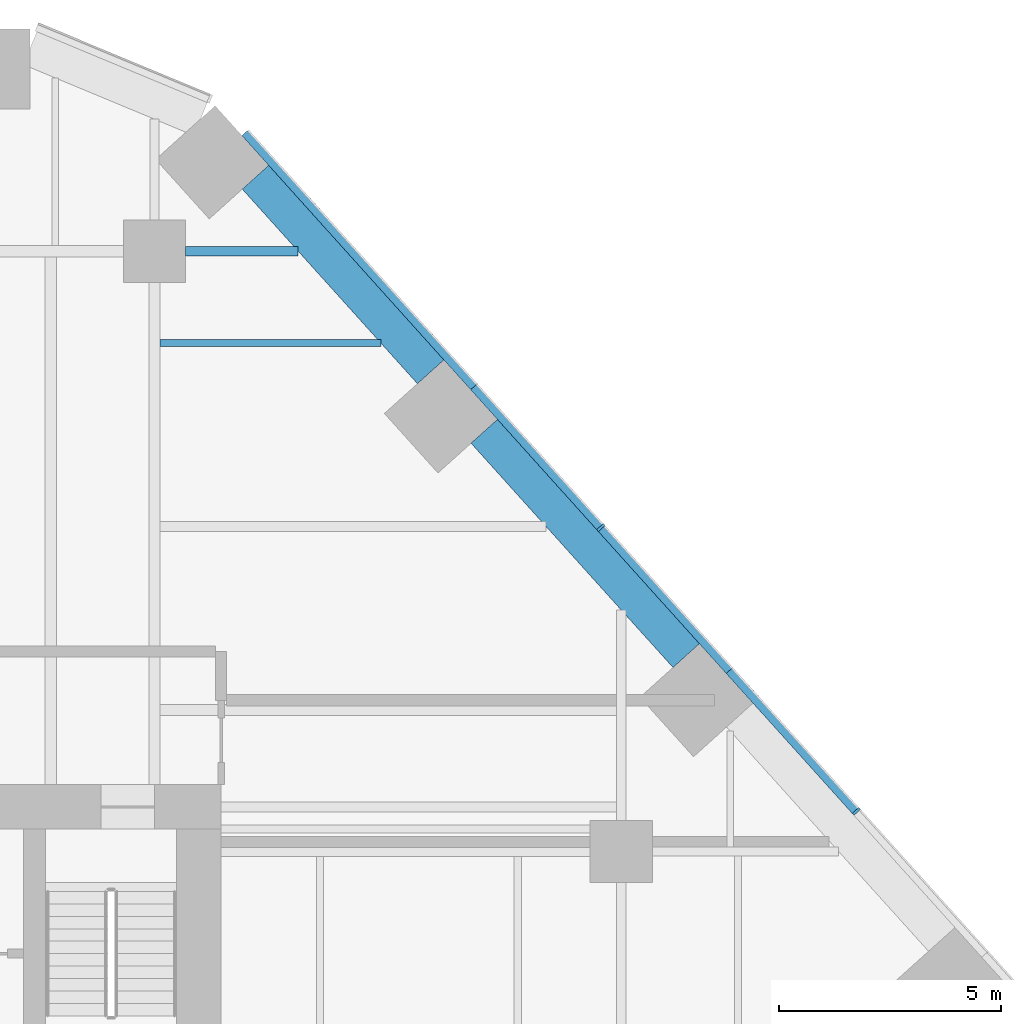
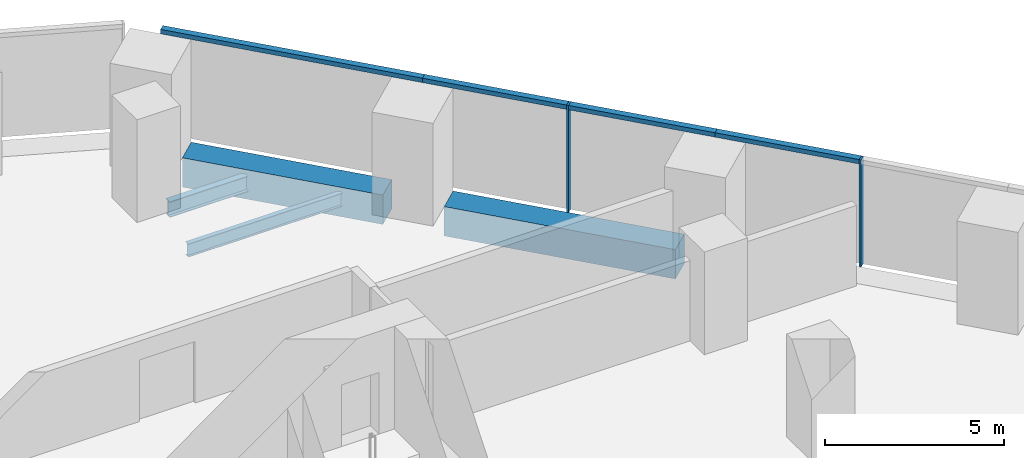
# One storey, part 10 of 20: 6 members, 4 beams, 1 element without a shape of its own.
"""IFC4 building model written with IfcOpenShell, lengths in metres."""

from ifc_helpers import new_model, si_unit, direction, frame, origin, origin_2d, place, context, subcontext, project, spatial, rectangle, i_section, extrude, material, layer, layer_set, material_profile, profile_set, type_object, element, aggregate, save


model = new_model("IFC4")

# Units and contexts
model_context = context("Model", 3, precision=1e-05, world=origin(), true_north=direction((0.0, 1.0)))
body_context = subcontext(model_context, "Body", "Model", "MODEL_VIEW")
ifc_project = project(units=[si_unit("LENGTHUNIT", "METRE"), si_unit("AREAUNIT", "SQUARE_METRE"), si_unit("VOLUMEUNIT", "CUBIC_METRE"), si_unit("PLANEANGLEUNIT", "RADIAN"), si_unit("MASSUNIT", "GRAM", prefix="KILO")], contexts=[model_context])

# Site, building, storey
site_placement = place(None, origin())
site = spatial("IfcSite", under=ifc_project, at=site_placement, CompositionType="ELEMENT")
building_placement = place(site_placement, origin())
building = spatial("IfcBuilding", under=site, at=building_placement, Name="Isthmus Gate Tower", CompositionType="ELEMENT")
storey_placement = place(building_placement, frame((0.0, 0.0, 61.550048828125)))
storey = spatial("IfcBuildingStorey", under=building, at=storey_placement, Name="L13", CompositionType="ELEMENT", Elevation=61.550048828125)

# Curtain wall, members
ifc_material_1 = material(Name="Aluminium, pale champagne anodised", Category="aluminium")
ifc_layer = layer(ifc_material_1, 0.199951171875)
ifc_layer_set = layer_set([ifc_layer], Name="CW-1 UNITISED CURTAIN WALL 200 DEEP")
curtain_wall_type = type_object("IfcCurtainWallType", Name="CW-1 UNITISED CURTAIN WALL 200 DEEP", PredefinedType="NOTDEFINED", material=ifc_layer_set)
curtain_wall_placement = place(storey_placement, origin())
curtain_wall = element("IfcCurtainWall", 1, at=curtain_wall_placement, inside=storey, type_object=curtain_wall_type, Name="CW-1 NE L13", PredefinedType="NOTDEFINED")
ifc_material_2 = material(Name="Aluminium, pale champagne anodised", Category="aluminium")
ifc_material_profile_1 = material_profile(ifc_material_2, rectangle(XDim=0.06005859375, YDim=0.199951171875, at=origin_2d()), Name="60x200")
ifc_profile_set_1 = profile_set([ifc_material_profile_1], Name="Aluminium, pale champagne anodised")
member_type_1 = type_object("IfcMemberType", Name="CW-1 MULLION 60 X 200", PredefinedType="MULLION", material=ifc_profile_set_1)
member_1_placement = place(storey_placement, frame((29.287841796875, 14.400146484375, 0.0), z_axis=(0.0, 0.0, 1.0), x_axis=(-0.669130606359, 0.743144825477, 0.0)))
member_1 = element("IfcMember", 2, at=member_1_placement, type_object=member_type_1, Name="CW-1 mullion", PredefinedType="MULLION", context=body_context, shape_type="SweptSolid", body=[
    extrude(rectangle(XDim=0.06005859375, YDim=0.199951171875, at=origin_2d()), origin(), (0.0, 0.0, 1.0), 3.64990234375),
])
member_2_placement = place(storey_placement, frame((23.54052734375, 20.783447265625, 0.0), z_axis=(0.0, 0.0, 1.0), x_axis=(-0.669130606359, 0.743144825477, 0.0)))
member_2 = element("IfcMember", 3, at=member_2_placement, type_object=member_type_1, Name="CW-1 mullion", PredefinedType="MULLION", context=body_context, shape_type="SweptSolid", body=[
    extrude(rectangle(XDim=0.06005859375, YDim=0.199951171875, at=origin_2d()), origin(), (0.0, 0.0, 1.0), 3.64990234375),
])
ifc_material_3 = material(Name="Aluminium, pale champagne anodised", Category="aluminium")
ifc_material_profile_2 = material_profile(ifc_material_3, rectangle(XDim=0.199951171875, YDim=0.14990234375, at=origin_2d()), Name="200x150")
ifc_profile_set_2 = profile_set([ifc_material_profile_2], Name="Aluminium, pale champagne anodised")
member_type_2 = type_object("IfcMemberType", Name="CW-1 TRANSOM 200 X 150", PredefinedType="USERDEFINED", material=ifc_profile_set_2)
member_3_placement = place(storey_placement, frame((29.267822265625, 14.422607421875, 3.574951171875), z_axis=(-0.669123979474, 0.743150792298, 0.0), x_axis=(-0.743150792298, -0.669123979474, 0.0)))
member_3 = element("IfcMember", 4, at=member_3_placement, type_object=member_type_2, Name="CW-1 transom", ObjectType="TRANSOM", PredefinedType="USERDEFINED", context=body_context, shape_type="SweptSolid", body=[
    extrude(rectangle(XDim=0.199951171875, YDim=0.14990234375, at=origin_2d()), origin(), (0.0, 0.0, 1.0), 4.234619140625),
])
member_4_placement = place(storey_placement, frame((26.434326171875, 17.569580078125, 3.574951171875), z_axis=(-0.669159437096, 0.743118865153, 0.0), x_axis=(-0.743118865153, -0.669159437096, 0.0)))
member_4 = element("IfcMember", 5, at=member_4_placement, type_object=member_type_2, Name="CW-1 transom", ObjectType="TRANSOM", PredefinedType="USERDEFINED", context=body_context, shape_type="SweptSolid", body=[
    extrude(rectangle(XDim=0.199951171875, YDim=0.14990234375, at=origin_2d()), origin(), (0.0, 0.0, 1.0), 4.294677734375),
])
member_5_placement = place(storey_placement, frame((23.520263671875, 20.8056640625, 3.574951171875), z_axis=(-0.669123979474, 0.743150792298, 0.0), x_axis=(-0.743150792298, -0.669123979474, 0.0)))
member_5 = element("IfcMember", 6, at=member_5_placement, type_object=member_type_2, Name="CW-1 transom", ObjectType="TRANSOM", PredefinedType="USERDEFINED", context=body_context, shape_type="SweptSolid", body=[
    extrude(rectangle(XDim=0.199951171875, YDim=0.14990234375, at=origin_2d()), origin(), (0.0, 0.0, 1.0), 4.234619140625),
])
member_6_placement = place(storey_placement, frame((20.686767578125, 23.95263671875, 3.574951171875), z_axis=(-0.669115577823, 0.743158356957, 0.0), x_axis=(-0.743158356957, -0.669115577823, 0.0)))
member_6 = element("IfcMember", 7, at=member_6_placement, type_object=member_type_2, Name="CW-1 transom", ObjectType="TRANSOM", PredefinedType="USERDEFINED", context=body_context, shape_type="SweptSolid", body=[
    extrude(rectangle(XDim=0.199951171875, YDim=0.14990234375, at=origin_2d()), origin(), (0.0, 0.0, 1.0), 7.689208984375),
])
aggregate(curtain_wall, [member_1, member_3, member_4, member_2, member_5, member_6])

# Beams
ifc_material_4 = material(Name="Concrete f'c 70 MPa", Category="concrete")
ifc_material_profile_3 = material_profile(ifc_material_4, rectangle(XDim=0.800048828125, YDim=1.0, at=origin_2d()), Name="RC 800X1000")
ifc_profile_set_3 = profile_set([ifc_material_profile_3], Name="Concrete f'c 70 MPa")
beam_type_1 = type_object("IfcBeamType", Name="RC SPANDREL 800 X 1000", PredefinedType="SPANDREL", material=ifc_profile_set_3)
beam_1_placement = place(storey_placement, frame((15.772216796875, 28.66357421875, -0.5), z_axis=(0.669141061586, -0.743135411415, 0.0), x_axis=(0.743135411415, 0.669141061586, 0.0)))
element("IfcBeam", 8, at=beam_1_placement, inside=storey, type_object=beam_type_1, Name="str-spandrel-L13-01", PredefinedType="SPANDREL", context=body_context, shape_type="SweptSolid", body=[
    extrude(rectangle(XDim=0.800048828125, YDim=1.0, at=origin_2d()), origin(), (0.0, 0.0, 1.0), 5.889404296875),
])
beam_2_placement = place(storey_placement, frame((20.91748046875, 22.94921875, -0.5), z_axis=(0.669135571547, -0.743140354772, 0.0), x_axis=(0.743140354772, 0.669135571547, 0.0)))
element("IfcBeam", 9, at=beam_2_placement, inside=storey, type_object=beam_type_1, Name="str-spandrel-L13-02", PredefinedType="SPANDREL", context=body_context, shape_type="SweptSolid", body=[
    extrude(rectangle(XDim=0.800048828125, YDim=1.0, at=origin_2d()), origin(), (0.0, 0.0, 1.0), 6.789306640625),
])
ifc_material_5 = material(Name="Structural steel ASTM A992 Gr 50", Category="steel")
ifc_material_profile_4 = material_profile(ifc_material_5, i_section(OverallWidth=0.15234375, OverallDepth=0.45068359375, WebThickness=0.0078125, FlangeThickness=0.010986328125, at=origin_2d()), Name="W18X35")
ifc_profile_set_4 = profile_set([ifc_material_profile_4], Name="Structural steel ASTM A992 Gr 50")
beam_type_2 = type_object("IfcBeamType", Name="STEEL FLOOR BEAM W18X35", PredefinedType="JOIST", material=ifc_profile_set_4)
beam_3_placement = place(storey_placement, frame((13.626953125, 24.935791015625, -0.37548828125), z_axis=(1.0, 0.0, 0.0), x_axis=(0.0, 1.0, 0.0)))
element("IfcBeam", 10, at=beam_3_placement, inside=storey, type_object=beam_type_2, Name="str-beam-L13-26-02", PredefinedType="JOIST", context=body_context, shape_type="SweptSolid", body=[
    extrude(i_section(OverallWidth=0.15234375, OverallDepth=0.45068359375, WebThickness=0.0078125, FlangeThickness=0.010986328125, at=origin_2d()), origin(), (0.0, 0.0, 1.0), 4.963623046875),
])
ifc_material_6 = material(Name="Structural steel ASTM A992 Gr 50", Category="steel")
ifc_material_profile_5 = material_profile(ifc_material_6, i_section(OverallWidth=0.20947265625, OverallDepth=0.533447265625, WebThickness=0.009521484375, FlangeThickness=0.015869140625, at=origin_2d()), Name="W21X62")
ifc_profile_set_5 = profile_set([ifc_material_profile_5], Name="Structural steel ASTM A992 Gr 50")
beam_type_3 = type_object("IfcBeamType", Name="STEEL GIRDER W21X62", PredefinedType="BEAM", material=ifc_profile_set_5)
beam_4_placement = place(storey_placement, frame((14.199951171875, 27.0, -0.416748046875), z_axis=(1.0, 0.0, 0.0), x_axis=(0.0, 1.0, 0.0)))
element("IfcBeam", 11, at=beam_4_placement, inside=storey, type_object=beam_type_3, Name="str-girder-L13-19", PredefinedType="BEAM", context=body_context, shape_type="SweptSolid", body=[
    extrude(i_section(OverallWidth=0.20947265625, OverallDepth=0.533447265625, WebThickness=0.009521484375, FlangeThickness=0.015869140625, at=origin_2d()), origin(), (0.0, 0.0, 1.0), 2.531982421875),
])

save(model, "model.ifc")
